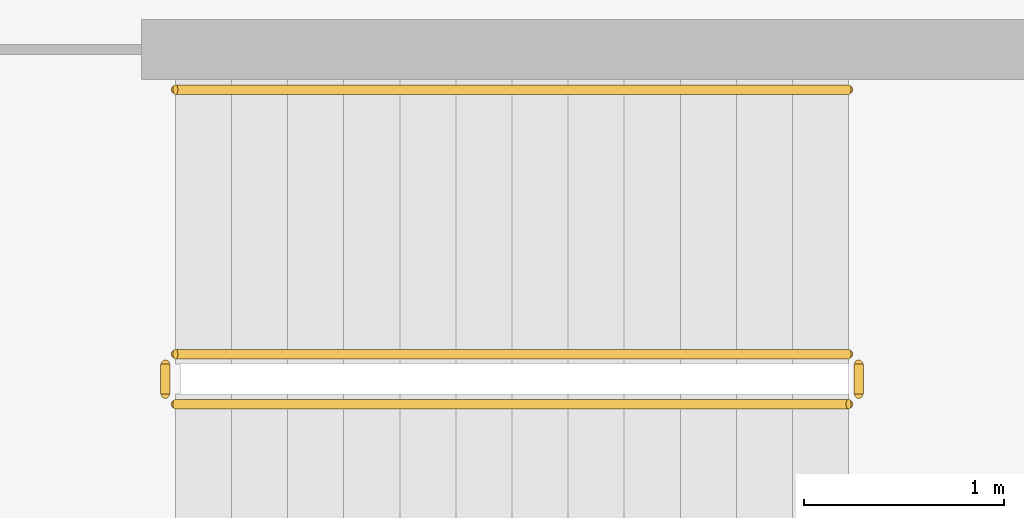
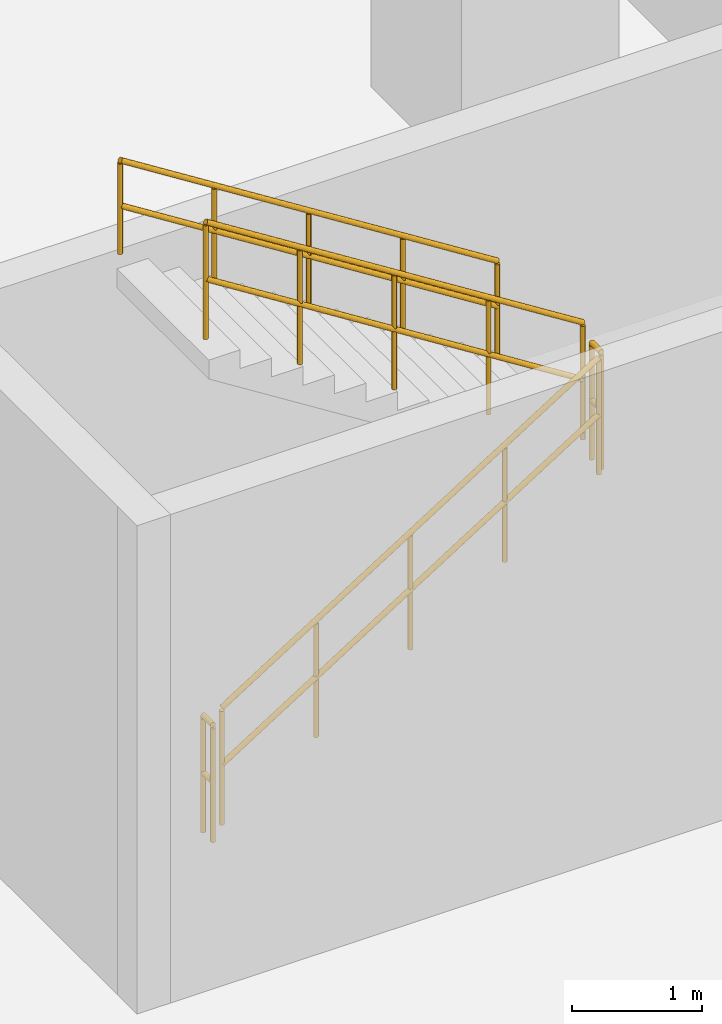
# One storey, part 7 of 8: 5 railings.
"""IFC4 building model written with IfcOpenShell, lengths in metres."""

import ifcopenshell
import ifcopenshell.guid

model = None  # the IFC model being written
_history = None  # IfcOwnerHistory: only IFC2X3 demands one
_inside = {}  # id of a spatial element -> (the spatial element, [elements in it])
_under = {}  # id of a project, library or spatial element -> (it, [spatial elements below it])
_declared = {}  # id of a project -> (the project, [libraries it declares])
_typed = {}  # id of a type object -> (the type object, [elements of that type])
_made_of = {}  # id of a material, layer set ... -> (it, [elements and type objects made of it])


def new_model(schema):
    """Start an empty IFC model of exactly this schema.

    Asked for "IFC4X3", IfcOpenShell would pick the latest addendum, in which some entities
    have other attributes; the version numbers below select the first issue.
    IFC2X3 requires an IfcOwnerHistory on every rooted entity: one is made here for all.
    """
    global model, _history
    if schema == "IFC4X3":
        model = ifcopenshell.file(schema_version=(4, 3, 0, 0))
    else:
        model = ifcopenshell.file(schema=schema)
    _inside.clear()
    _under.clear()
    _declared.clear()
    _typed.clear()
    _made_of.clear()
    _history = None
    if model.schema == "IFC2X3":
        org = make("IfcOrganization", Name="unknown")
        user = make(
            "IfcPersonAndOrganization",
            ThePerson=make("IfcPerson", FamilyName="unknown"),
            TheOrganization=org,
        )
        app = make(
            "IfcApplication",
            ApplicationDeveloper=org,
            Version="unknown",
            ApplicationFullName="unknown",
            ApplicationIdentifier="unknown",
        )
        _history = make(
            "IfcOwnerHistory",
            OwningUser=user,
            OwningApplication=app,
            ChangeAction="ADDED",
            CreationDate=0,
        )
    return model


def make(cls, **values):
    """One entity of the class cls with the attributes given. An attribute that is None is left unset."""
    return model.create_entity(
        cls, **{name: value for name, value in values.items() if value is not None}
    )


def rooted(cls, **values):
    """An entity with a GlobalId (a new one), such as an element, a storey or a relation."""
    return make(cls, GlobalId=ifcopenshell.guid.new(), OwnerHistory=_history, **values)


def si_unit(unit_type, name, prefix=None):
    """IfcSIUnit, for example si_unit("LENGTHUNIT", "METRE", prefix="MILLI")."""
    return make("IfcSIUnit", UnitType=unit_type, Prefix=prefix, Name=name)


def assignment(units):
    """IfcUnitAssignment: the units of a project."""
    return None if units is None else make("IfcUnitAssignment", Units=units)


def point(xyz):
    """IfcCartesianPoint."""
    return None if xyz is None else make("IfcCartesianPoint", Coordinates=xyz)


def direction(xyz):
    """IfcDirection."""
    return None if xyz is None else make("IfcDirection", DirectionRatios=xyz)


def frame(location, z_axis=None, x_axis=None):
    """IfcAxis2Placement3D, a coordinate frame: its origin and axes. An axis left out is left unset."""
    return make(
        "IfcAxis2Placement3D",
        Location=point(location),
        Axis=direction(z_axis),
        RefDirection=direction(x_axis),
    )


def frame_2d(location, x_axis=None):
    """IfcAxis2Placement2D, a coordinate frame in the plane: its origin and x axis."""
    return make(
        "IfcAxis2Placement2D", Location=point(location), RefDirection=direction(x_axis)
    )


def origin():
    """The frame at (0, 0, 0) with its axes left unset."""
    return frame((0.0, 0.0, 0.0))


def origin_2d():
    """The frame at (0, 0) in the plane with its x axis left unset."""
    return frame_2d((0.0, 0.0))


def place(relative_to, where):
    """IfcLocalPlacement: puts the frame where relative to a parent placement (None: the world)."""
    return make(
        "IfcLocalPlacement", PlacementRelTo=relative_to, RelativePlacement=where
    )


def context(
    kind, dimensions, precision=None, world=None, true_north=None, identifier=None
):
    """IfcGeometricRepresentationContext, for example the 3D "Model" context."""
    return make(
        "IfcGeometricRepresentationContext",
        ContextIdentifier=identifier,
        ContextType=kind,
        CoordinateSpaceDimension=dimensions,
        Precision=precision,
        WorldCoordinateSystem=world,
        TrueNorth=true_north,
    )


def subcontext(parent, identifier, kind, view, scale=None):
    """IfcGeometricRepresentationSubContext, for example "Body" below "Model"."""
    return make(
        "IfcGeometricRepresentationSubContext",
        ContextIdentifier=identifier,
        ContextType=kind,
        ParentContext=parent,
        TargetScale=scale,
        TargetView=view,
    )


def project(units=None, contexts=None):
    """IfcProject with its units and contexts."""
    return rooted(
        "IfcProject",
        Name="project",
        RepresentationContexts=contexts,
        UnitsInContext=assignment(units),
    )


def spatial(cls, under=None, at=None, **own):
    """A site, building, storey or space (cls), placed at a placement, below another one or the project."""
    s = rooted(cls, ObjectPlacement=at, **own)
    if under is not None:
        _under.setdefault(under.id(), (under, []))[1].append(s)
    return s


def profile(cls, at=None, kind="AREA", **sizes):
    """A parametric profile (cls). Its sizes go by their IFC names, for example OverallWidth=200.0."""
    return make(cls, ProfileType=kind, Position=at, **sizes)


def circle(**sizes):
    """IfcCircleProfileDef."""
    return profile("IfcCircleProfileDef", **sizes)


def extrude(swept, where, along, depth):
    """IfcExtrudedAreaSolid: the profile swept, set in the frame where, extruded along a direction by depth."""
    return make(
        "IfcExtrudedAreaSolid",
        SweptArea=swept,
        Position=where,
        ExtrudedDirection=direction(along),
        Depth=depth,
    )


def shape(context_of_items, identifier, shape_type, items):
    """IfcShapeRepresentation: the items that make up one representation, for example the "Body"."""
    return make(
        "IfcShapeRepresentation",
        ContextOfItems=context_of_items,
        RepresentationIdentifier=identifier,
        RepresentationType=shape_type,
        Items=items,
    )


def material(Name=None, Category=None):
    """IfcMaterial."""
    return make("IfcMaterial", Name=Name, Category=Category)


def made_of(thing, what):
    """Note that an element or type object is made of a material, layer set ...; save() writes the relation."""
    if what is not None:
        _made_of.setdefault(what.id(), (what, []))[1].append(thing)
    return thing


def type_object(cls, material=None, **own):
    """A type object (cls), such as IfcWallType, which elements share."""
    return made_of(rooted(cls, **own), material)


def element(
    cls,
    number,
    at=None,
    inside=None,
    cuts=None,
    type_object=None,
    material=None,
    context=None,
    identifier="Body",
    shape_type=None,
    held_by="IfcProductDefinitionShape",
    body=None,
    shapes=None,
    **own,
):
    """One element of the class cls, such as IfcWall. Its Tag is "e" and its number.

    at: its placement. inside: the storey or other place that contains it. cuts: it is an
    opening in that element (IfcRelVoidsElement). A single representation is given by context,
    identifier, shape_type and body (its items); several are given by shapes. held_by: the class
    of the entity that holds the representations. save() writes the other relations.
    """
    e = rooted(cls, Tag="e%d" % number, ObjectPlacement=at, **own)
    if body is not None:
        shapes = [shape(context, identifier, shape_type, body)]
    if shapes is not None:
        e.Representation = make(held_by, Representations=shapes)
    if inside is not None:
        _inside.setdefault(inside.id(), (inside, []))[1].append(e)
    if cuts is not None:
        rooted(
            "IfcRelVoidsElement", RelatingBuildingElement=cuts, RelatedOpeningElement=e
        )
    if type_object is not None:
        _typed.setdefault(type_object.id(), (type_object, []))[1].append(e)
    return made_of(e, material)


def aggregate(whole, parts):
    """IfcRelAggregates: a whole, such as a stair, and the parts it consists of."""
    return rooted("IfcRelAggregates", RelatingObject=whole, RelatedObjects=parts)


def save(model, path):
    """Write the relations noted so far, then the file.

    IfcRelAggregates (storeys below a building ...), IfcRelContainedInSpatialStructure (elements
    in a storey), IfcRelDefinesByType, IfcRelAssociatesMaterial and IfcRelDeclares: one each for
    every whole, place, type object, material and project.
    """
    for whole, parts in _under.values():
        aggregate(whole, parts)
    for where, things in _inside.values():
        rooted(
            "IfcRelContainedInSpatialStructure",
            RelatedElements=things,
            RelatingStructure=where,
        )
    for kind, things in _typed.values():
        rooted("IfcRelDefinesByType", RelatedObjects=things, RelatingType=kind)
    for what, things in _made_of.values():
        rooted("IfcRelAssociatesMaterial", RelatedObjects=things, RelatingMaterial=what)
    for by, libraries in _declared.values():
        rooted("IfcRelDeclares", RelatingContext=by, RelatedDefinitions=libraries)
    model.write(path)


model = new_model("IFC4")

# Units and contexts
model_context = context("Model", 3, precision=1e-05, world=origin(), true_north=direction((0.0, 1.0)))
body_context = subcontext(model_context, "Body", "Model", "MODEL_VIEW")
ifc_project = project(units=[si_unit("LENGTHUNIT", "METRE"), si_unit("AREAUNIT", "SQUARE_METRE"), si_unit("VOLUMEUNIT", "CUBIC_METRE"), si_unit("PLANEANGLEUNIT", "RADIAN"), si_unit("MASSUNIT", "GRAM", prefix="KILO")], contexts=[model_context])

# Site, building, storey
site_placement = place(None, origin())
site = spatial("IfcSite", under=ifc_project, at=site_placement, CompositionType="ELEMENT")
building_placement = place(site_placement, origin())
building = spatial("IfcBuilding", under=site, at=building_placement, Name="Tarnavaz Court Tower", CompositionType="ELEMENT")
storey_placement = place(building_placement, frame((0.0, 0.0, -4.60009765625)))
storey = spatial("IfcBuildingStorey", under=building, at=storey_placement, Name="B01", CompositionType="ELEMENT", Elevation=-4.60009765625)

# Railings
ifc_material_1 = material(Name="Brushed Stainless Steel", Category="steel")
railing_type_1 = type_object("IfcRailingType", Name="RL-HANDRAIL-900", PredefinedType="HANDRAIL", material=ifc_material_1)
railing_1_placement = place(storey_placement, frame((24.47998046875, -19.760009765625, 2.47705078125)))
element("IfcRailing", 1, at=railing_1_placement, inside=storey, type_object=railing_type_1, Name="B01 ST-P1 stair handrail 2", PredefinedType="HANDRAIL", context=body_context, shape_type="SweptSolid", body=[
    extrude(circle(Radius=0.02392578125, at=origin_2d()), frame((0.0, 0.0, 0.8759765625), z_axis=(-0.845372108799, 0.0, 0.534177870812), x_axis=(0.0, -1.0, 0.0)), (0.0, 0.0, 1.0), 3.974365234375),
    extrude(circle(Radius=0.02392578125, at=origin_2d()), frame((0.0, 0.0, 0.449951171875), z_axis=(-0.845372108799, 0.0, 0.534177870812), x_axis=(0.0, -1.0, 0.0)), (0.0, 0.0, 1.0), 3.974365234375),
    extrude(circle(Radius=0.02099609375, at=origin_2d()), origin(), (0.0, 0.0, 1.0), 0.851806640625),
    extrude(circle(Radius=0.02099609375, at=origin_2d()), frame((-0.83984375, 0.0, 0.53076171875)), (0.0, 0.0, 1.0), 0.851806640625),
    extrude(circle(Radius=0.02099609375, at=origin_2d()), frame((-1.679931640625, 0.0, 1.0615234375)), (0.0, 0.0, 1.0), 0.851806640625),
    extrude(circle(Radius=0.02099609375, at=origin_2d()), frame((-2.52001953125, 0.0, 1.59228515625)), (0.0, 0.0, 1.0), 0.851806640625),
    extrude(circle(Radius=0.02099609375, at=origin_2d()), frame((-3.35986328125, 0.0, 2.123046875)), (0.0, 0.0, 1.0), 0.851806640625),
])
ifc_material_2 = material(Name="Galvanized Painted Tubular Steel", Category="steel")
railing_type_2 = type_object("IfcRailingType", Name="RL-STGUARD-1120", PredefinedType="GUARDRAIL", material=ifc_material_2)
railing_2_placement = place(storey_placement, frame((21.1201171875, -21.330078125, 0.177001953125)))
element("IfcRailing", 2, at=railing_2_placement, inside=storey, type_object=railing_type_2, Name="B01 ST-P1 stair guard 1", PredefinedType="GUARDRAIL", context=body_context, shape_type="SweptSolid", body=[
    extrude(circle(Radius=0.02392578125, at=origin_2d()), frame((0.0, 0.0, 1.09619140625), z_axis=(0.845372108799, 0.0, 0.534177870812), x_axis=(0.0, 1.0, 0.0)), (0.0, 0.0, 1.0), 3.974365234375),
    extrude(circle(Radius=0.02392578125, at=origin_2d()), frame((0.0, 0.0, 0.56005859375), z_axis=(0.845372108799, 0.0, 0.534177870812), x_axis=(0.0, 1.0, 0.0)), (0.0, 0.0, 1.0), 3.974365234375),
    extrude(circle(Radius=0.02099609375, at=origin_2d()), origin(), (0.0, 0.0, 1.0), 1.072021484375),
    extrude(circle(Radius=0.02099609375, at=origin_2d()), frame((0.83984375, 0.0, 0.53076171875)), (0.0, 0.0, 1.0), 1.072021484375),
    extrude(circle(Radius=0.02099609375, at=origin_2d()), frame((1.679931640625, 0.0, 1.0615234375)), (0.0, 0.0, 1.0), 1.072021484375),
    extrude(circle(Radius=0.02099609375, at=origin_2d()), frame((2.52001953125, 0.0, 1.59228515625)), (0.0, 0.0, 1.0), 1.072021484375),
    extrude(circle(Radius=0.02099609375, at=origin_2d()), frame((3.35986328125, 0.0, 2.123046875)), (0.0, 0.0, 1.0), 1.072021484375),
])
railing_3_placement = place(storey_placement, frame((24.530029296875, -21.280029296875, 2.300048828125)))
element("IfcRailing", 3, at=railing_3_placement, inside=storey, type_object=railing_type_2, Name="B01 ST-P1 stair guard 2", PredefinedType="GUARDRAIL", context=body_context, shape_type="SweptSolid", body=[
    extrude(circle(Radius=0.02392578125, at=origin_2d()), frame((0.0, 0.0, 1.09619140625), z_axis=(0.0, 1.0, 0.0), x_axis=(-1.0, 0.0, 0.0)), (0.0, 0.0, 1.0), 0.150146484375),
    extrude(circle(Radius=0.02392578125, at=origin_2d()), frame((0.0, 0.0, 0.56005859375), z_axis=(0.0, 1.0, 0.0), x_axis=(-1.0, 0.0, 0.0)), (0.0, 0.0, 1.0), 0.150146484375),
    extrude(circle(Radius=0.02099609375, at=origin_2d()), origin(), (0.0, 0.0, 1.0), 1.072021484375),
    extrude(circle(Radius=0.02099609375, at=origin_2d()), frame((0.0, 0.150146484375, 0.0)), (0.0, 0.0, 1.0), 1.072021484375),
])
railing_4_placement = place(storey_placement, frame((24.47998046875, -21.080078125, 2.47705078125)))
element("IfcRailing", 4, at=railing_4_placement, inside=storey, type_object=railing_type_2, Name="B01 ST-P1 stair guard 3", PredefinedType="GUARDRAIL", context=body_context, shape_type="SweptSolid", body=[
    extrude(circle(Radius=0.02392578125, at=origin_2d()), frame((0.0, 0.0, 1.09619140625), z_axis=(-0.845372108799, 0.0, 0.534177870812), x_axis=(0.0, -1.0, 0.0)), (0.0, 0.0, 1.0), 3.974365234375),
    extrude(circle(Radius=0.02392578125, at=origin_2d()), frame((0.0, 0.0, 0.56005859375), z_axis=(-0.845372108799, 0.0, 0.534177870812), x_axis=(0.0, -1.0, 0.0)), (0.0, 0.0, 1.0), 3.974365234375),
    extrude(circle(Radius=0.02099609375, at=origin_2d()), origin(), (0.0, 0.0, 1.0), 1.072021484375),
    extrude(circle(Radius=0.02099609375, at=origin_2d()), frame((-0.83984375, 0.0, 0.53076171875)), (0.0, 0.0, 1.0), 1.072021484375),
    extrude(circle(Radius=0.02099609375, at=origin_2d()), frame((-1.679931640625, 0.0, 1.0615234375)), (0.0, 0.0, 1.0), 1.072021484375),
    extrude(circle(Radius=0.02099609375, at=origin_2d()), frame((-2.52001953125, 0.0, 1.59228515625)), (0.0, 0.0, 1.0), 1.072021484375),
    extrude(circle(Radius=0.02099609375, at=origin_2d()), frame((-3.35986328125, 0.0, 2.123046875)), (0.0, 0.0, 1.0), 1.072021484375),
])
railing_5_placement = place(storey_placement, frame((21.070068359375, -21.280029296875, 0.0)))
element("IfcRailing", 5, at=railing_5_placement, inside=storey, type_object=railing_type_2, Name="B01 ST-P1 stair guard 4", PredefinedType="GUARDRAIL", context=body_context, shape_type="SweptSolid", body=[
    extrude(circle(Radius=0.02392578125, at=origin_2d()), frame((0.0, 0.0, 1.09619140625), z_axis=(0.0, 1.0, 0.0), x_axis=(-1.0, 0.0, 0.0)), (0.0, 0.0, 1.0), 0.150146484375),
    extrude(circle(Radius=0.02392578125, at=origin_2d()), frame((0.0, 0.0, 0.56005859375), z_axis=(0.0, 1.0, 0.0), x_axis=(-1.0, 0.0, 0.0)), (0.0, 0.0, 1.0), 0.150146484375),
    extrude(circle(Radius=0.02099609375, at=origin_2d()), origin(), (0.0, 0.0, 1.0), 1.072021484375),
    extrude(circle(Radius=0.02099609375, at=origin_2d()), frame((0.0, 0.150146484375, 0.0)), (0.0, 0.0, 1.0), 1.072021484375),
])

save(model, "model.ifc")
